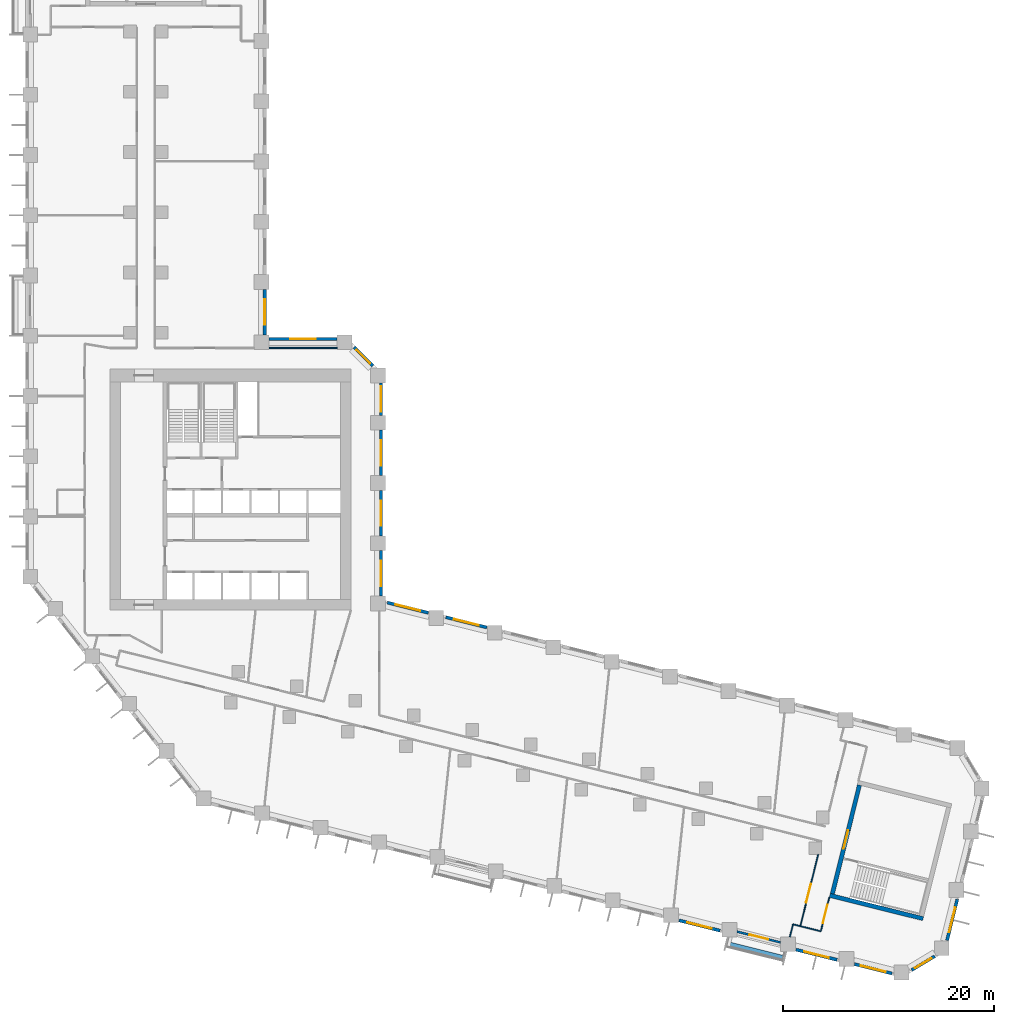
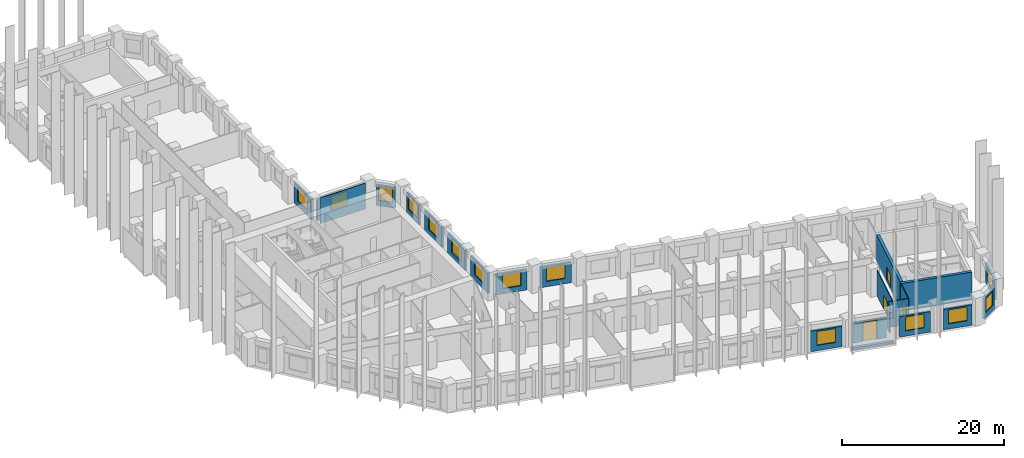
# One storey, part 6 of 11: 24 walls, 14 windows, 4 doors, 18 openings.
"""IFC4 building model written with IfcOpenShell, lengths in metres."""

from ifc_helpers import new_model, si_unit, direction, frame, frame_2d, origin, place, context, subcontext, project, spatial, rectangle, extrude, material, layer, layer_set, type_object, element, fill, save


model = new_model("IFC4")

# Units and contexts
model_context = context("Model", 3, precision=1e-05, world=origin(), true_north=direction((0.0, 1.0)))
body_context = subcontext(model_context, "Body", "Model", "MODEL_VIEW")
ifc_project = project(units=[si_unit("LENGTHUNIT", "METRE"), si_unit("AREAUNIT", "SQUARE_METRE"), si_unit("VOLUMEUNIT", "CUBIC_METRE"), si_unit("PLANEANGLEUNIT", "RADIAN"), si_unit("MASSUNIT", "GRAM", prefix="KILO")], contexts=[model_context])

# Site, building, storey
site_placement = place(None, origin())
site = spatial("IfcSite", under=ifc_project, at=site_placement, CompositionType="ELEMENT")
building_placement = place(site_placement, origin())
building = spatial("IfcBuilding", under=site, at=building_placement, Name="Meshkara Civic Tower", CompositionType="ELEMENT")
storey_placement = place(building_placement, frame((0.0, 0.0, 49.800048828125)))
storey = spatial("IfcBuildingStorey", under=building, at=storey_placement, Name="L10", CompositionType="ELEMENT", Elevation=49.800048828125)

# Walls
ifc_material_1 = material(Name="Corridor wall 100")
ifc_layer_1 = layer(ifc_material_1, 0.10009765625)
ifc_layer_set_1 = layer_set([ifc_layer_1], Name="Corridor wall 100")
wall_type_1 = type_object("IfcWallType", Name="Corridor wall 100", PredefinedType="PARTITIONING", material=ifc_layer_set_1)
wall_1_placement = place(storey_placement, frame((29.493896484375, 38.89990234375, 0.0), z_axis=(0.0, 0.0, 1.0), x_axis=(-1.0, 0.0, 0.0)))
element("IfcWall", 1, at=wall_1_placement, inside=storey, type_object=wall_type_1, Name="L10-W021", PredefinedType="PARTITIONING", context=body_context, shape_type="SweptSolid", body=[
    extrude(rectangle(XDim=6.44384765625, YDim=0.10009765625, at=frame_2d((3.221923828125, 0.0))), origin(), (0.0, 0.0, 1.0), 3.89990234375),
])
wall_2_placement = place(storey_placement, frame((73.323974609375, -15.80810546875, 0.0), z_axis=(0.0, 0.0, 1.0), x_axis=(0.970271653322, -0.242018426489, 0.0)))
element("IfcWall", 2, at=wall_2_placement, inside=storey, type_object=wall_type_1, Name="L10-W025", PredefinedType="PARTITIONING", context=body_context, shape_type="SweptSolid", body=[
    extrude(rectangle(XDim=1.999267578125, YDim=0.10009765625, at=frame_2d((0.99951171875, 0.0))), origin(), (0.0, 0.0, 1.0), 3.89990234375),
])

# Wall, opening, door
wall_3_placement = place(storey_placement, frame((75.013916015625, -9.029052734375, 0.0), z_axis=(0.0, 0.0, 1.0), x_axis=(-0.241886013589, -0.970304671961, 0.0)))
wall_3 = element("IfcWall", 3, at=wall_3_placement, inside=storey, type_object=wall_type_1, Name="L10-W026", PredefinedType="PARTITIONING", context=body_context, shape_type="SweptSolid", body=[
    extrude(rectangle(XDim=6.986572265625, YDim=0.10009765625, at=frame_2d((3.4931640625, 0.0))), origin(), (0.0, 0.0, 1.0), 3.89990234375),
])
opening_1_placement = place(wall_3_placement, frame((2.8798828125, 0.0, 0.0)))
opening_1 = element("IfcOpeningElement", 4, at=opening_1_placement, cuts=wall_3, Name="Opening L10-D001", PredefinedType="OPENING", context=body_context, shape_type="SweptSolid", body=[
    extrude(rectangle(XDim=1.800048828125, YDim=2.10009765625, at=frame_2d((0.89990234375, 1.050048828125))), frame((0.0, 0.06005859375, 0.0), z_axis=(0.0, -1.0, 0.0), x_axis=(1.0, 0.0, 0.0)), (0.0, 0.0, 1.0), 0.1201171875),
])
ifc_material_2 = material(Name="Door pair 1800 x 2100")
door_type_1 = type_object("IfcDoorType", Name="Door pair 1800 x 2100", OperationType="SINGLE_SWING_LEFT", PredefinedType="DOOR", material=ifc_material_2)
door_1_placement = place(opening_1_placement, origin())
door_1 = element("IfcDoor", 5, at=door_1_placement, inside=storey, type_object=door_type_1, Name="L10-D001", OperationType="DOUBLE_DOOR_SINGLE_SWING", OverallHeight=2.10009765625, OverallWidth=1.800048828125, PredefinedType="DOOR", context=body_context, shape_type="SweptSolid", body=[
    extrude(rectangle(XDim=1.800048828125, YDim=2.10009765625, at=frame_2d((0.89990234375, 1.050048828125))), frame((0.0, 0.02490234375, 0.0), z_axis=(0.0, -1.0, 0.0), x_axis=(1.0, 0.0, 0.0)), (0.0, 0.0, 1.0), 0.050048828125),
])
fill(opening_1, door_1)

wall_4_placement = place(storey_placement, frame((75.263916015625, -16.2919921875, 0.0), z_axis=(0.0, 0.0, 1.0), x_axis=(0.242135244173, 0.970242507587, 0.0)))
wall_4 = element("IfcWall", 6, at=wall_4_placement, inside=storey, type_object=wall_type_1, Name="L10-W027", PredefinedType="PARTITIONING", context=body_context, shape_type="SweptSolid", body=[
    extrude(rectangle(XDim=3.300048828125, YDim=0.10009765625, at=frame_2d((1.64990234375, 0.0))), origin(), (0.0, 0.0, 1.0), 3.89990234375),
])
opening_2_placement = place(wall_4_placement, frame((0.780029296875, 0.0, 0.0)))
opening_2 = element("IfcOpeningElement", 7, at=opening_2_placement, cuts=wall_4, Name="Opening L10-D002", PredefinedType="OPENING", context=body_context, shape_type="SweptSolid", body=[
    extrude(rectangle(XDim=1.800048828125, YDim=2.10009765625, at=frame_2d((0.89990234375, 1.050048828125))), frame((0.0, 0.06005859375, 0.0), z_axis=(0.0, -1.0, 0.0), x_axis=(1.0, 0.0, 0.0)), (0.0, 0.0, 1.0), 0.1201171875),
])
door_2_placement = place(opening_2_placement, origin())
door_2 = element("IfcDoor", 8, at=door_2_placement, inside=storey, type_object=door_type_1, Name="L10-D002", OperationType="DOUBLE_DOOR_SINGLE_SWING", OverallHeight=2.10009765625, OverallWidth=1.800048828125, PredefinedType="DOOR", context=body_context, shape_type="SweptSolid", body=[
    extrude(rectangle(XDim=1.800048828125, YDim=2.10009765625, at=frame_2d((0.89990234375, 1.050048828125))), frame((0.0, 0.02490234375, 0.0), z_axis=(0.0, -1.0, 0.0), x_axis=(1.0, 0.0, 0.0)), (0.0, 0.0, 1.0), 0.050048828125),
])
fill(opening_2, door_2)

# Wall, opening, window
ifc_material_3 = material(Name="Insulated infill panel with bronze anodised aluminium cladding", Category="aluminium")
ifc_layer_2 = layer(ifc_material_3, 0.300048828125)
ifc_layer_set_2 = layer_set([ifc_layer_2], Name="EXTERNAL INFILL WALL 300")
wall_type_2 = type_object("IfcWallType", Name="EXTERNAL INFILL WALL 300", PredefinedType="SOLIDWALL", material=ifc_layer_set_2)
wall_5_placement = place(storey_placement, frame((43.659912109375, 12.4580078125, 0.0), z_axis=(0.0, 0.0, 1.0), x_axis=(-0.970300202301, 0.241903942538, 0.0)))
wall_5 = element("IfcWall", 9, at=wall_5_placement, inside=storey, type_object=wall_type_2, Name="External wall", PredefinedType="SOLIDWALL", context=body_context, shape_type="SweptSolid", body=[
    extrude(rectangle(XDim=4.001708984375, YDim=0.300048828125, at=frame_2d((2.0009765625, 0.0))), origin(), (0.0, 0.0, 1.0), 3.099853515625),
])
opening_3_placement = place(wall_5_placement, frame((0.801025390625, 0.0, 0.800048828125)))
opening_3 = element("IfcOpeningElement", 10, at=opening_3_placement, cuts=wall_5, Name="Opening W7", PredefinedType="OPENING", context=body_context, shape_type="SweptSolid", body=[
    extrude(rectangle(XDim=2.39990234375, YDim=2.10009765625, at=frame_2d((1.199951171875, 1.050048828125))), frame((0.0, 0.159912109375, 0.0), z_axis=(0.0, -1.0, 0.0), x_axis=(1.0, 0.0, 0.0)), (0.0, 0.0, 1.0), 0.320068359375),
])
ifc_material_4 = material(Name="Tinted double glazing", Category="glass")
window_type_1 = type_object("IfcWindowType", Name="WINDOW 2400x2100", PartitioningType="DOUBLE_PANEL_VERTICAL", PredefinedType="WINDOW", material=ifc_material_4)
window_1_placement = place(opening_3_placement, origin())
window_1 = element("IfcWindow", 11, at=window_1_placement, inside=storey, type_object=window_type_1, Name="Window", OverallHeight=2.10009765625, OverallWidth=2.39990234375, PartitioningType="DOUBLE_PANEL_VERTICAL", PredefinedType="WINDOW", context=body_context, shape_type="SweptSolid", body=[
    extrude(rectangle(XDim=2.39990234375, YDim=2.10009765625, at=frame_2d((1.199951171875, 1.050048828125))), frame((0.0, 0.030029296875, 0.0), z_axis=(0.0, -1.0, 0.0), x_axis=(1.0, 0.0, 0.0)), (0.0, 0.0, 1.0), 0.06005859375),
])
fill(opening_3, window_1)

wall_6_placement = place(storey_placement, frame((38.1298828125, 13.8369140625, 0.0), z_axis=(0.0, 0.0, 1.0), x_axis=(-0.970314477803, 0.241846674911, 0.0)))
wall_6 = element("IfcWall", 12, at=wall_6_placement, inside=storey, type_object=wall_type_2, Name="External wall", PredefinedType="SOLIDWALL", context=body_context, shape_type="SweptSolid", body=[
    extrude(rectangle(XDim=4.002685546875, YDim=0.300048828125, at=frame_2d((2.00146484375, 0.0))), origin(), (0.0, 0.0, 1.0), 3.099853515625),
])
opening_4_placement = place(wall_6_placement, frame((0.802001953125, 0.0, 0.800048828125)))
opening_4 = element("IfcOpeningElement", 13, at=opening_4_placement, cuts=wall_6, Name="Opening W7", PredefinedType="OPENING", context=body_context, shape_type="SweptSolid", body=[
    extrude(rectangle(XDim=2.39990234375, YDim=2.10009765625, at=frame_2d((1.199951171875, 1.050048828125))), frame((0.0, 0.159912109375, 0.0), z_axis=(0.0, -1.0, 0.0), x_axis=(1.0, 0.0, 0.0)), (0.0, 0.0, 1.0), 0.320068359375),
])
window_2_placement = place(opening_4_placement, origin())
window_2 = element("IfcWindow", 14, at=window_2_placement, inside=storey, type_object=window_type_1, Name="Window", OverallHeight=2.10009765625, OverallWidth=2.39990234375, PartitioningType="DOUBLE_PANEL_VERTICAL", PredefinedType="WINDOW", context=body_context, shape_type="SweptSolid", body=[
    extrude(rectangle(XDim=2.39990234375, YDim=2.10009765625, at=frame_2d((1.199951171875, 1.050048828125))), frame((0.0, 0.030029296875, 0.0), z_axis=(0.0, -1.0, 0.0), x_axis=(1.0, 0.0, 0.0)), (0.0, 0.0, 1.0), 0.06005859375),
])
fill(opening_4, window_2)

wall_7_placement = place(storey_placement, frame((33.64990234375, 15.4189453125, 0.0), z_axis=(0.0, 0.0, 1.0), x_axis=(0.0, 1.0, 0.0)))
wall_7 = element("IfcWall", 15, at=wall_7_placement, inside=storey, type_object=wall_type_2, Name="External wall", PredefinedType="SOLIDWALL", context=body_context, shape_type="SweptSolid", body=[
    extrude(rectangle(XDim=4.300048828125, YDim=0.300048828125, at=frame_2d((2.14990234375, 0.0))), origin(), (0.0, 0.0, 1.0), 3.099853515625),
])
opening_5_placement = place(wall_7_placement, frame((0.949951171875, 0.0, 0.800048828125)))
opening_5 = element("IfcOpeningElement", 16, at=opening_5_placement, cuts=wall_7, Name="Opening W7", PredefinedType="OPENING", context=body_context, shape_type="SweptSolid", body=[
    extrude(rectangle(XDim=2.39990234375, YDim=2.10009765625, at=frame_2d((1.199951171875, 1.050048828125))), frame((0.0, 0.159912109375, 0.0), z_axis=(0.0, -1.0, 0.0), x_axis=(1.0, 0.0, 0.0)), (0.0, 0.0, 1.0), 0.320068359375),
])
window_3_placement = place(opening_5_placement, origin())
window_3 = element("IfcWindow", 17, at=window_3_placement, inside=storey, type_object=window_type_1, Name="Window", OverallHeight=2.10009765625, OverallWidth=2.39990234375, PartitioningType="DOUBLE_PANEL_VERTICAL", PredefinedType="WINDOW", context=body_context, shape_type="SweptSolid", body=[
    extrude(rectangle(XDim=2.39990234375, YDim=2.10009765625, at=frame_2d((1.199951171875, 1.050048828125))), frame((0.0, 0.030029296875, 0.0), z_axis=(0.0, -1.0, 0.0), x_axis=(1.0, 0.0, 0.0)), (0.0, 0.0, 1.0), 0.06005859375),
])
fill(opening_5, window_3)

wall_8_placement = place(storey_placement, frame((33.64990234375, 21.118896484375, 0.0), z_axis=(0.0, 0.0, 1.0), x_axis=(0.0, 1.0, 0.0)))
wall_8 = element("IfcWall", 18, at=wall_8_placement, inside=storey, type_object=wall_type_2, Name="External wall", PredefinedType="SOLIDWALL", context=body_context, shape_type="SweptSolid", body=[
    extrude(rectangle(XDim=4.300048828125, YDim=0.300048828125, at=frame_2d((2.14990234375, 0.0))), origin(), (0.0, 0.0, 1.0), 3.099853515625),
])
opening_6_placement = place(wall_8_placement, frame((0.949951171875, 0.0, 0.800048828125)))
opening_6 = element("IfcOpeningElement", 19, at=opening_6_placement, cuts=wall_8, Name="Opening W7", PredefinedType="OPENING", context=body_context, shape_type="SweptSolid", body=[
    extrude(rectangle(XDim=2.39990234375, YDim=2.10009765625, at=frame_2d((1.199951171875, 1.050048828125))), frame((0.0, 0.159912109375, 0.0), z_axis=(0.0, -1.0, 0.0), x_axis=(1.0, 0.0, 0.0)), (0.0, 0.0, 1.0), 0.320068359375),
])
window_4_placement = place(opening_6_placement, origin())
window_4 = element("IfcWindow", 20, at=window_4_placement, inside=storey, type_object=window_type_1, Name="Window", OverallHeight=2.10009765625, OverallWidth=2.39990234375, PartitioningType="DOUBLE_PANEL_VERTICAL", PredefinedType="WINDOW", context=body_context, shape_type="SweptSolid", body=[
    extrude(rectangle(XDim=2.39990234375, YDim=2.10009765625, at=frame_2d((1.199951171875, 1.050048828125))), frame((0.0, 0.030029296875, 0.0), z_axis=(0.0, -1.0, 0.0), x_axis=(1.0, 0.0, 0.0)), (0.0, 0.0, 1.0), 0.06005859375),
])
fill(opening_6, window_4)

wall_9_placement = place(storey_placement, frame((33.64990234375, 26.819091796875, 0.0), z_axis=(0.0, 0.0, 1.0), x_axis=(0.0, 1.0, 0.0)))
wall_9 = element("IfcWall", 21, at=wall_9_placement, inside=storey, type_object=wall_type_2, Name="External wall", PredefinedType="SOLIDWALL", context=body_context, shape_type="SweptSolid", body=[
    extrude(rectangle(XDim=4.2998046875, YDim=0.300048828125, at=frame_2d((2.14990234375, 0.0))), origin(), (0.0, 0.0, 1.0), 3.099853515625),
])
opening_7_placement = place(wall_9_placement, frame((0.949951171875, 0.0, 0.800048828125)))
opening_7 = element("IfcOpeningElement", 22, at=opening_7_placement, cuts=wall_9, Name="Opening W7", PredefinedType="OPENING", context=body_context, shape_type="SweptSolid", body=[
    extrude(rectangle(XDim=2.39990234375, YDim=2.10009765625, at=frame_2d((1.199951171875, 1.050048828125))), frame((0.0, 0.159912109375, 0.0), z_axis=(0.0, -1.0, 0.0), x_axis=(1.0, 0.0, 0.0)), (0.0, 0.0, 1.0), 0.320068359375),
])
window_5_placement = place(opening_7_placement, origin())
window_5 = element("IfcWindow", 23, at=window_5_placement, inside=storey, type_object=window_type_1, Name="Window", OverallHeight=2.10009765625, OverallWidth=2.39990234375, PartitioningType="DOUBLE_PANEL_VERTICAL", PredefinedType="WINDOW", context=body_context, shape_type="SweptSolid", body=[
    extrude(rectangle(XDim=2.39990234375, YDim=2.10009765625, at=frame_2d((1.199951171875, 1.050048828125))), frame((0.0, 0.030029296875, 0.0), z_axis=(0.0, -1.0, 0.0), x_axis=(1.0, 0.0, 0.0)), (0.0, 0.0, 1.0), 0.06005859375),
])
fill(opening_7, window_5)

wall_10_placement = place(storey_placement, frame((33.64990234375, 32.51904296875, 0.0), z_axis=(0.0, 0.0, 1.0), x_axis=(0.0, 1.0, 0.0)))
wall_10 = element("IfcWall", 24, at=wall_10_placement, inside=storey, type_object=wall_type_2, Name="External wall", PredefinedType="SOLIDWALL", context=body_context, shape_type="SweptSolid", body=[
    extrude(rectangle(XDim=3.074951171875, YDim=0.300048828125, at=frame_2d((1.53759765625, 0.0))), origin(), (0.0, 0.0, 1.0), 3.099853515625),
])
opening_8_placement = place(wall_10_placement, frame((0.337890625, 0.0, 0.800048828125)))
opening_8 = element("IfcOpeningElement", 25, at=opening_8_placement, cuts=wall_10, Name="Opening W7", PredefinedType="OPENING", context=body_context, shape_type="SweptSolid", body=[
    extrude(rectangle(XDim=2.39990234375, YDim=2.10009765625, at=frame_2d((1.199951171875, 1.050048828125))), frame((0.0, 0.159912109375, 0.0), z_axis=(0.0, -1.0, 0.0), x_axis=(1.0, 0.0, 0.0)), (0.0, 0.0, 1.0), 0.320068359375),
])
window_6_placement = place(opening_8_placement, origin())
window_6 = element("IfcWindow", 26, at=window_6_placement, inside=storey, type_object=window_type_1, Name="Window", OverallHeight=2.10009765625, OverallWidth=2.39990234375, PartitioningType="DOUBLE_PANEL_VERTICAL", PredefinedType="WINDOW", context=body_context, shape_type="SweptSolid", body=[
    extrude(rectangle(XDim=2.39990234375, YDim=2.10009765625, at=frame_2d((1.199951171875, 1.050048828125))), frame((0.0, 0.030029296875, 0.0), z_axis=(0.0, -1.0, 0.0), x_axis=(1.0, 0.0, 0.0)), (0.0, 0.0, 1.0), 0.06005859375),
])
fill(opening_8, window_6)

wall_11_placement = place(storey_placement, frame((32.862060546875, 37.2060546875, 0.0), z_axis=(0.0, 0.0, 1.0), x_axis=(-0.707155935319, 0.707057623637, 0.0)))
wall_11 = element("IfcWall", 27, at=wall_11_placement, inside=storey, type_object=wall_type_2, Name="External wall", PredefinedType="SOLIDWALL", context=body_context, shape_type="SweptSolid", body=[
    extrude(rectangle(XDim=2.4833984375, YDim=0.300048828125, at=frame_2d((1.24169921875, 0.0))), origin(), (0.0, 0.0, 1.0), 3.099853515625),
])
opening_9_placement = place(wall_11_placement, frame((0.342041015625, 0.0, 0.800048828125)))
opening_9 = element("IfcOpeningElement", 28, at=opening_9_placement, cuts=wall_11, Name="Opening W9", PredefinedType="OPENING", context=body_context, shape_type="SweptSolid", body=[
    extrude(rectangle(XDim=1.800048828125, YDim=2.10009765625, at=frame_2d((0.89990234375, 1.050048828125))), frame((0.0, 0.159912109375, 0.0), z_axis=(0.0, -1.0, 0.0), x_axis=(1.0, 0.0, 0.0)), (0.0, 0.0, 1.0), 0.320068359375),
])
ifc_material_5 = material(Name="Tinted double glazing", Category="glass")
window_type_2 = type_object("IfcWindowType", Name="WINDOW 1800x2100", PartitioningType="DOUBLE_PANEL_VERTICAL", PredefinedType="WINDOW", material=ifc_material_5)
window_7_placement = place(opening_9_placement, origin())
window_7 = element("IfcWindow", 29, at=window_7_placement, inside=storey, type_object=window_type_2, Name="Window", OverallHeight=2.10009765625, OverallWidth=1.800048828125, PartitioningType="DOUBLE_PANEL_VERTICAL", PredefinedType="WINDOW", context=body_context, shape_type="SweptSolid", body=[
    extrude(rectangle(XDim=1.800048828125, YDim=2.10009765625, at=frame_2d((0.89990234375, 1.050048828125))), frame((0.0, 0.030029296875, 0.0), z_axis=(0.0, -1.0, 0.0), x_axis=(1.0, 0.0, 0.0)), (0.0, 0.0, 1.0), 0.06005859375),
])
fill(opening_9, window_7)

wall_12_placement = place(storey_placement, frame((29.493896484375, 39.75, 0.0), z_axis=(0.0, 0.0, 1.0), x_axis=(-1.0, 0.0, 0.0)))
wall_12 = element("IfcWall", 30, at=wall_12_placement, inside=storey, type_object=wall_type_2, Name="External wall", PredefinedType="SOLIDWALL", context=body_context, shape_type="SweptSolid", body=[
    extrude(rectangle(XDim=6.44384765625, YDim=0.300048828125, at=frame_2d((3.221923828125, 0.0))), origin(), (0.0, 0.0, 1.0), 3.099853515625),
])
opening_10_placement = place(wall_12_placement, frame((2.02197265625, 0.0, 0.800048828125)))
opening_10 = element("IfcOpeningElement", 31, at=opening_10_placement, cuts=wall_12, Name="Opening W7", PredefinedType="OPENING", context=body_context, shape_type="SweptSolid", body=[
    extrude(rectangle(XDim=2.39990234375, YDim=2.10009765625, at=frame_2d((1.199951171875, 1.050048828125))), frame((0.0, 0.159912109375, 0.0), z_axis=(0.0, -1.0, 0.0), x_axis=(1.0, 0.0, 0.0)), (0.0, 0.0, 1.0), 0.320068359375),
])
window_8_placement = place(opening_10_placement, origin())
window_8 = element("IfcWindow", 32, at=window_8_placement, inside=storey, type_object=window_type_1, Name="Window", OverallHeight=2.10009765625, OverallWidth=2.39990234375, PartitioningType="DOUBLE_PANEL_VERTICAL", PredefinedType="WINDOW", context=body_context, shape_type="SweptSolid", body=[
    extrude(rectangle(XDim=2.39990234375, YDim=2.10009765625, at=frame_2d((1.199951171875, 1.050048828125))), frame((0.0, 0.030029296875, 0.0), z_axis=(0.0, -1.0, 0.0), x_axis=(1.0, 0.0, 0.0)), (0.0, 0.0, 1.0), 0.06005859375),
])
fill(opening_10, window_8)

wall_13_placement = place(storey_placement, frame((22.64990234375, 40.14990234375, 0.0), z_axis=(0.0, 0.0, 1.0), x_axis=(0.0, 1.0, 0.0)))
wall_13 = element("IfcWall", 33, at=wall_13_placement, inside=storey, type_object=wall_type_2, Name="External wall", PredefinedType="SOLIDWALL", context=body_context, shape_type="SweptSolid", body=[
    extrude(rectangle(XDim=4.300048828125, YDim=0.300048828125, at=frame_2d((2.14990234375, 0.0))), origin(), (0.0, 0.0, 1.0), 3.099853515625),
])
opening_11_placement = place(wall_13_placement, frame((0.949951171875, 0.0, 0.800048828125)))
opening_11 = element("IfcOpeningElement", 34, at=opening_11_placement, cuts=wall_13, Name="Opening W7", PredefinedType="OPENING", context=body_context, shape_type="SweptSolid", body=[
    extrude(rectangle(XDim=2.39990234375, YDim=2.10009765625, at=frame_2d((1.199951171875, 1.050048828125))), frame((0.0, 0.159912109375, 0.0), z_axis=(0.0, -1.0, 0.0), x_axis=(1.0, 0.0, 0.0)), (0.0, 0.0, 1.0), 0.320068359375),
])
window_9_placement = place(opening_11_placement, origin())
window_9 = element("IfcWindow", 35, at=window_9_placement, inside=storey, type_object=window_type_1, Name="Window", OverallHeight=2.10009765625, OverallWidth=2.39990234375, PartitioningType="DOUBLE_PANEL_VERTICAL", PredefinedType="WINDOW", context=body_context, shape_type="SweptSolid", body=[
    extrude(rectangle(XDim=2.39990234375, YDim=2.10009765625, at=frame_2d((1.199951171875, 1.050048828125))), frame((0.0, 0.030029296875, 0.0), z_axis=(0.0, -1.0, 0.0), x_axis=(1.0, 0.0, 0.0)), (0.0, 0.0, 1.0), 0.06005859375),
])
fill(opening_11, window_9)

wall_14_placement = place(storey_placement, frame((61.847900390625, -15.26611328125, 0.0), z_axis=(0.0, 0.0, 1.0), x_axis=(0.970318089187, -0.241832185196, 0.0)))
wall_14 = element("IfcWall", 36, at=wall_14_placement, inside=storey, type_object=wall_type_2, Name="External wall", PredefinedType="SOLIDWALL", context=body_context, shape_type="SweptSolid", body=[
    extrude(rectangle(XDim=4.001953125, YDim=0.300048828125, at=frame_2d((2.0009765625, 0.0))), origin(), (0.0, 0.0, 1.0), 3.099853515625),
])
opening_12_placement = place(wall_14_placement, frame((0.801025390625, 0.0, 0.800048828125)))
opening_12 = element("IfcOpeningElement", 37, at=opening_12_placement, cuts=wall_14, Name="Opening W7", PredefinedType="OPENING", context=body_context, shape_type="SweptSolid", body=[
    extrude(rectangle(XDim=2.39990234375, YDim=2.10009765625, at=frame_2d((1.199951171875, 1.050048828125))), frame((0.0, 0.159912109375, 0.0), z_axis=(0.0, -1.0, 0.0), x_axis=(1.0, 0.0, 0.0)), (0.0, 0.0, 1.0), 0.320068359375),
])
window_10_placement = place(opening_12_placement, origin())
window_10 = element("IfcWindow", 38, at=window_10_placement, inside=storey, type_object=window_type_1, Name="Window", OverallHeight=2.10009765625, OverallWidth=2.39990234375, PartitioningType="DOUBLE_PANEL_VERTICAL", PredefinedType="WINDOW", context=body_context, shape_type="SweptSolid", body=[
    extrude(rectangle(XDim=2.39990234375, YDim=2.10009765625, at=frame_2d((1.199951171875, 1.050048828125))), frame((0.0, 0.030029296875, 0.0), z_axis=(0.0, -1.0, 0.0), x_axis=(1.0, 0.0, 0.0)), (0.0, 0.0, 1.0), 0.06005859375),
])
fill(opening_12, window_10)

wall_15_placement = place(storey_placement, frame((72.908935546875, -18.02294921875, 0.0), z_axis=(0.0, 0.0, 1.0), x_axis=(0.970260773365, -0.242062040951, 0.0)))
wall_15 = element("IfcWall", 39, at=wall_15_placement, inside=storey, type_object=wall_type_2, Name="External wall", PredefinedType="SOLIDWALL", context=body_context, shape_type="SweptSolid", body=[
    extrude(rectangle(XDim=4.003173828125, YDim=0.300048828125, at=frame_2d((2.00146484375, 0.0))), origin(), (0.0, 0.0, 1.0), 3.099853515625),
])
opening_13_placement = place(wall_15_placement, frame((0.802001953125, 0.0, 0.800048828125)))
opening_13 = element("IfcOpeningElement", 40, at=opening_13_placement, cuts=wall_15, Name="Opening W7", PredefinedType="OPENING", context=body_context, shape_type="SweptSolid", body=[
    extrude(rectangle(XDim=2.39990234375, YDim=2.10009765625, at=frame_2d((1.199951171875, 1.050048828125))), frame((0.0, 0.159912109375, 0.0), z_axis=(0.0, -1.0, 0.0), x_axis=(1.0, 0.0, 0.0)), (0.0, 0.0, 1.0), 0.320068359375),
])
window_11_placement = place(opening_13_placement, origin())
window_11 = element("IfcWindow", 41, at=window_11_placement, inside=storey, type_object=window_type_1, Name="Window", OverallHeight=2.10009765625, OverallWidth=2.39990234375, PartitioningType="DOUBLE_PANEL_VERTICAL", PredefinedType="WINDOW", context=body_context, shape_type="SweptSolid", body=[
    extrude(rectangle(XDim=2.39990234375, YDim=2.10009765625, at=frame_2d((1.199951171875, 1.050048828125))), frame((0.0, 0.030029296875, 0.0), z_axis=(0.0, -1.0, 0.0), x_axis=(1.0, 0.0, 0.0)), (0.0, 0.0, 1.0), 0.06005859375),
])
fill(opening_13, window_11)

wall_16_placement = place(storey_placement, frame((78.43994140625, -19.402099609375, 0.0), z_axis=(0.0, 0.0, 1.0), x_axis=(0.970271818873, -0.24201776278, 0.0)))
wall_16 = element("IfcWall", 42, at=wall_16_placement, inside=storey, type_object=wall_type_2, Name="External wall", PredefinedType="SOLIDWALL", context=body_context, shape_type="SweptSolid", body=[
    extrude(rectangle(XDim=3.660888671875, YDim=0.300048828125, at=frame_2d((1.83056640625, 0.0))), origin(), (0.0, 0.0, 1.0), 3.099853515625),
])
opening_14_placement = place(wall_16_placement, frame((0.6298828125, 0.0, 0.800048828125)))
opening_14 = element("IfcOpeningElement", 43, at=opening_14_placement, cuts=wall_16, Name="Opening W7", PredefinedType="OPENING", context=body_context, shape_type="SweptSolid", body=[
    extrude(rectangle(XDim=2.39990234375, YDim=2.10009765625, at=frame_2d((1.199951171875, 1.050048828125))), frame((0.0, 0.159912109375, 0.0), z_axis=(0.0, -1.0, 0.0), x_axis=(1.0, 0.0, 0.0)), (0.0, 0.0, 1.0), 0.320068359375),
])
window_12_placement = place(opening_14_placement, origin())
window_12 = element("IfcWindow", 44, at=window_12_placement, inside=storey, type_object=window_type_1, Name="Window", OverallHeight=2.10009765625, OverallWidth=2.39990234375, PartitioningType="DOUBLE_PANEL_VERTICAL", PredefinedType="WINDOW", context=body_context, shape_type="SweptSolid", body=[
    extrude(rectangle(XDim=2.39990234375, YDim=2.10009765625, at=frame_2d((1.199951171875, 1.050048828125))), frame((0.0, 0.030029296875, 0.0), z_axis=(0.0, -1.0, 0.0), x_axis=(1.0, 0.0, 0.0)), (0.0, 0.0, 1.0), 0.06005859375),
])
fill(opening_14, window_12)

wall_17_placement = place(storey_placement, frame((83.865966796875, -19.965087890625, 0.0), z_axis=(0.0, 0.0, 1.0), x_axis=(0.857026568426, 0.515272220299, 0.0)))
wall_17 = element("IfcWall", 45, at=wall_17_placement, inside=storey, type_object=wall_type_2, Name="External wall", PredefinedType="SOLIDWALL", context=body_context, shape_type="SweptSolid", body=[
    extrude(rectangle(XDim=2.54248046875, YDim=0.300048828125, at=frame_2d((1.271240234375, 0.0))), origin(), (0.0, 0.0, 1.0), 3.099853515625),
])
opening_15_placement = place(wall_17_placement, frame((0.37109375, 0.0, 0.800048828125)))
opening_15 = element("IfcOpeningElement", 46, at=opening_15_placement, cuts=wall_17, Name="Opening W9", PredefinedType="OPENING", context=body_context, shape_type="SweptSolid", body=[
    extrude(rectangle(XDim=1.800048828125, YDim=2.10009765625, at=frame_2d((0.89990234375, 1.050048828125))), frame((0.0, 0.159912109375, 0.0), z_axis=(0.0, -1.0, 0.0), x_axis=(1.0, 0.0, 0.0)), (0.0, 0.0, 1.0), 0.320068359375),
])
window_13_placement = place(opening_15_placement, origin())
window_13 = element("IfcWindow", 47, at=window_13_placement, inside=storey, type_object=window_type_2, Name="Window", OverallHeight=2.10009765625, OverallWidth=1.800048828125, PartitioningType="DOUBLE_PANEL_VERTICAL", PredefinedType="WINDOW", context=body_context, shape_type="SweptSolid", body=[
    extrude(rectangle(XDim=1.800048828125, YDim=2.10009765625, at=frame_2d((0.89990234375, 1.050048828125))), frame((0.0, 0.030029296875, 0.0), z_axis=(0.0, -1.0, 0.0), x_axis=(1.0, 0.0, 0.0)), (0.0, 0.0, 1.0), 0.06005859375),
])
fill(opening_15, window_13)

wall_18_placement = place(storey_placement, frame((87.2109375, -17.152099609375, 0.0), z_axis=(0.0, 0.0, 1.0), x_axis=(0.24183236211, 0.970318045095, 0.0)))
wall_18 = element("IfcWall", 48, at=wall_18_placement, inside=storey, type_object=wall_type_2, Name="External wall", PredefinedType="SOLIDWALL", context=body_context, shape_type="SweptSolid", body=[
    extrude(rectangle(XDim=4.0029296875, YDim=0.300048828125, at=frame_2d((2.00146484375, 0.0))), origin(), (0.0, 0.0, 1.0), 3.099853515625),
])
opening_16_placement = place(wall_18_placement, frame((0.802001953125, 0.0, 0.800048828125)))
opening_16 = element("IfcOpeningElement", 49, at=opening_16_placement, cuts=wall_18, Name="Opening W7", PredefinedType="OPENING", context=body_context, shape_type="SweptSolid", body=[
    extrude(rectangle(XDim=2.39990234375, YDim=2.10009765625, at=frame_2d((1.199951171875, 1.050048828125))), frame((0.0, 0.159912109375, 0.0), z_axis=(0.0, -1.0, 0.0), x_axis=(1.0, 0.0, 0.0)), (0.0, 0.0, 1.0), 0.320068359375),
])
window_14_placement = place(opening_16_placement, origin())
window_14 = element("IfcWindow", 50, at=window_14_placement, inside=storey, type_object=window_type_1, Name="Window", OverallHeight=2.10009765625, OverallWidth=2.39990234375, PartitioningType="DOUBLE_PANEL_VERTICAL", PredefinedType="WINDOW", context=body_context, shape_type="SweptSolid", body=[
    extrude(rectangle(XDim=2.39990234375, YDim=2.10009765625, at=frame_2d((1.199951171875, 1.050048828125))), frame((0.0, 0.030029296875, 0.0), z_axis=(0.0, -1.0, 0.0), x_axis=(1.0, 0.0, 0.0)), (0.0, 0.0, 1.0), 0.06005859375),
])
fill(opening_16, window_14)

# Wall
ifc_material_6 = material(Name="Concrete C80", Category="concrete")
ifc_layer_3 = layer(ifc_material_6, 0.39990234375)
ifc_layer_set_3 = layer_set([ifc_layer_3], Name="End core ring wall 400 C80")
wall_type_3 = type_object("IfcWallType", Name="End core ring wall 400 C80", PredefinedType="SHEAR", material=ifc_layer_set_3)
wall_19_placement = place(storey_placement, frame((76.111083984375, -12.89599609375, -0.300048828125), z_axis=(0.0, 0.0, 1.0), x_axis=(0.970311127573, -0.241860115992, 0.0)))
element("IfcWall", 51, at=wall_19_placement, inside=storey, type_object=wall_type_3, Name="L10-C030", PredefinedType="SHEAR", context=body_context, shape_type="SweptSolid", body=[
    extrude(rectangle(XDim=9.10009765625, YDim=0.39990234375, at=frame_2d((4.550048828125, 0.0))), origin(), (0.0, 0.0, 1.0), 4.199951171875),
])

# Wall, opening, door
wall_20_placement = place(storey_placement, frame((76.35302734375, -12.75, -0.300048828125), z_axis=(0.0, 0.0, 1.0), x_axis=(0.241977390218, 0.970281888228, 0.0)))
wall_20 = element("IfcWall", 52, at=wall_20_placement, inside=storey, type_object=wall_type_3, Name="L10-C032", PredefinedType="SHEAR", context=body_context, shape_type="SweptSolid", body=[
    extrude(rectangle(XDim=10.599853515625, YDim=0.39990234375, at=frame_2d((5.2998046875, 0.0))), origin(), (0.0, 0.0, 1.0), 4.199951171875),
])
opening_17_placement = place(wall_20_placement, frame((4.39990234375, 0.0, 0.300048828125)))
opening_17 = element("IfcOpeningElement", 53, at=opening_17_placement, cuts=wall_20, Name="Opening L10-K202", PredefinedType="OPENING", context=body_context, shape_type="SweptSolid", body=[
    extrude(rectangle(XDim=1.800048828125, YDim=2.10009765625, at=frame_2d((0.89990234375, 1.050048828125))), frame((0.0, 0.2099609375, 0.0), z_axis=(0.0, -1.0, 0.0), x_axis=(1.0, 0.0, 0.0)), (0.0, 0.0, 1.0), 0.419921875),
])
ifc_material_7 = material(Name="Fire-rated door leaf in steel frame", Category="steel")
door_type_2 = type_object("IfcDoorType", Name="Core double door 1800 EI 60", OperationType="DOUBLE_DOOR_SINGLE_SWING", PredefinedType="DOOR", material=ifc_material_7)
door_3_placement = place(opening_17_placement, origin())
door_3 = element("IfcDoor", 54, at=door_3_placement, inside=storey, type_object=door_type_2, Name="L10-K202", OperationType="DOUBLE_DOOR_SINGLE_SWING", OverallHeight=2.10009765625, OverallWidth=1.800048828125, PredefinedType="DOOR", context=body_context, shape_type="SweptSolid", body=[
    extrude(rectangle(XDim=1.800048828125, YDim=2.10009765625, at=frame_2d((0.89990234375, 1.050048828125))), frame((0.0, 0.02490234375, 0.0), z_axis=(0.0, -1.0, 0.0), x_axis=(1.0, 0.0, 0.0)), (0.0, 0.0, 1.0), 0.050048828125),
])
fill(opening_17, door_3)

ifc_material_8 = material(Name="Insulated infill panel with bronze anodised aluminium cladding", Category="aluminium")
ifc_layer_4 = layer(ifc_material_8, 0.199951171875)
ifc_layer_set_4 = layer_set([ifc_layer_4], Name="LOGGIA BACK WALL 200")
wall_type_4 = type_object("IfcWallType", Name="LOGGIA BACK WALL 200", PredefinedType="SOLIDWALL", material=ifc_layer_set_4)
wall_21_placement = place(storey_placement, frame((67.326904296875, -16.322998046875, 0.0), z_axis=(0.0, 0.0, 1.0), x_axis=(0.970347921137, -0.241712457159, 0.0)))
wall_21 = element("IfcWall", 55, at=wall_21_placement, inside=storey, type_object=wall_type_4, Name="Loggia wall", PredefinedType="SOLIDWALL", context=body_context, shape_type="SweptSolid", body=[
    extrude(rectangle(XDim=4.25732421875, YDim=0.199951171875, at=frame_2d((2.128662109375, 0.0))), origin(), (0.0, 0.0, 1.0), 3.099853515625),
])
opening_18_placement = place(wall_21_placement, frame((1.22802734375, 0.0, 0.0)))
opening_18 = element("IfcOpeningElement", 56, at=opening_18_placement, cuts=wall_21, Name="Opening L10-L004", PredefinedType="OPENING", context=body_context, shape_type="SweptSolid", body=[
    extrude(rectangle(XDim=1.800048828125, YDim=2.89990234375, at=frame_2d((0.89990234375, 1.449951171875))), frame((0.0, 0.10986328125, 0.0), z_axis=(0.0, -1.0, 0.0), x_axis=(1.0, 0.0, 0.0)), (0.0, 0.0, 1.0), 0.219970703125),
])
ifc_material_9 = material(Name="Tinted double glazing", Category="glass")
door_type_3 = type_object("IfcDoorType", Name="LOGGIA DOOR 1800x2900", OperationType="DOUBLE_DOOR_SINGLE_SWING", PredefinedType="DOOR", material=ifc_material_9)
door_4_placement = place(opening_18_placement, origin())
door_4 = element("IfcDoor", 57, at=door_4_placement, inside=storey, type_object=door_type_3, Name="L10-L004", OperationType="DOUBLE_DOOR_SINGLE_SWING", OverallHeight=2.89990234375, OverallWidth=1.800048828125, PredefinedType="DOOR", context=body_context, shape_type="SweptSolid", body=[
    extrude(rectangle(XDim=1.800048828125, YDim=2.89990234375, at=frame_2d((0.89990234375, 1.449951171875))), frame((0.0, 0.02490234375, 0.0), z_axis=(0.0, -1.0, 0.0), x_axis=(1.0, 0.0, 0.0)), (0.0, 0.0, 1.0), 0.050048828125),
])
fill(opening_18, door_4)

# Walls
ifc_material_10 = material(Name="Concrete C40", Category="concrete")
ifc_layer_5 = layer(ifc_material_10, 0.39990234375)
ifc_layer_set_5 = layer_set([ifc_layer_5], Name="PLANTER TRAY")
wall_type_5 = type_object("IfcWallType", Name="PLANTER TRAY", PredefinedType="SOLIDWALL", material=ifc_layer_set_5)
wall_22_placement = place(storey_placement, frame((66.469970703125, -17.47998046875, 0.0), z_axis=(0.0, 0.0, 1.0), x_axis=(0.97033243619, -0.241774612557, 0.0)))
element("IfcWall", 58, at=wall_22_placement, inside=storey, type_object=wall_type_5, Name="Planter", PredefinedType="SOLIDWALL", context=body_context, shape_type="SweptSolid", body=[
    extrude(rectangle(XDim=5.35986328125, YDim=0.39990234375, at=frame_2d((2.679931640625, 0.0))), origin(), (0.0, 0.0, 1.0), 0.300048828125),
])
ifc_material_11 = material(Name="Partition 100")
ifc_layer_6 = layer(ifc_material_11, 0.10009765625)
ifc_layer_set_6 = layer_set([ifc_layer_6], Name="Partition 100")
wall_type_6 = type_object("IfcWallType", Name="Partition 100", PredefinedType="PARTITIONING", material=ifc_layer_set_6)
wall_23_placement = place(storey_placement, frame((72.3330078125, -16.826904296875, 0.0), z_axis=(0.0, 0.0, 1.0), x_axis=(0.241693721233, 0.97035258804, 0.0)))
element("IfcWall", 59, at=wall_23_placement, inside=storey, type_object=wall_type_6, Name="L10-W053", PredefinedType="PARTITIONING", context=body_context, shape_type="SweptSolid", body=[
    extrude(rectangle(XDim=1.228271484375, YDim=0.10009765625, at=frame_2d((0.6142578125, 0.0))), origin(), (0.0, 0.0, 1.0), 3.89990234375),
])
wall_24_placement = place(storey_placement, frame((72.6298828125, -15.635009765625, 0.0), z_axis=(0.0, 0.0, 1.0), x_axis=(0.970282083048, -0.241976609029, 0.0)))
element("IfcWall", 60, at=wall_24_placement, inside=storey, type_object=wall_type_6, Name="L10-W054", PredefinedType="PARTITIONING", context=body_context, shape_type="SweptSolid", body=[
    extrude(rectangle(XDim=0.719482421875, YDim=0.10009765625, at=frame_2d((0.35986328125, 0.0))), origin(), (0.0, 0.0, 1.0), 3.89990234375),
])

save(model, "model.ifc")
